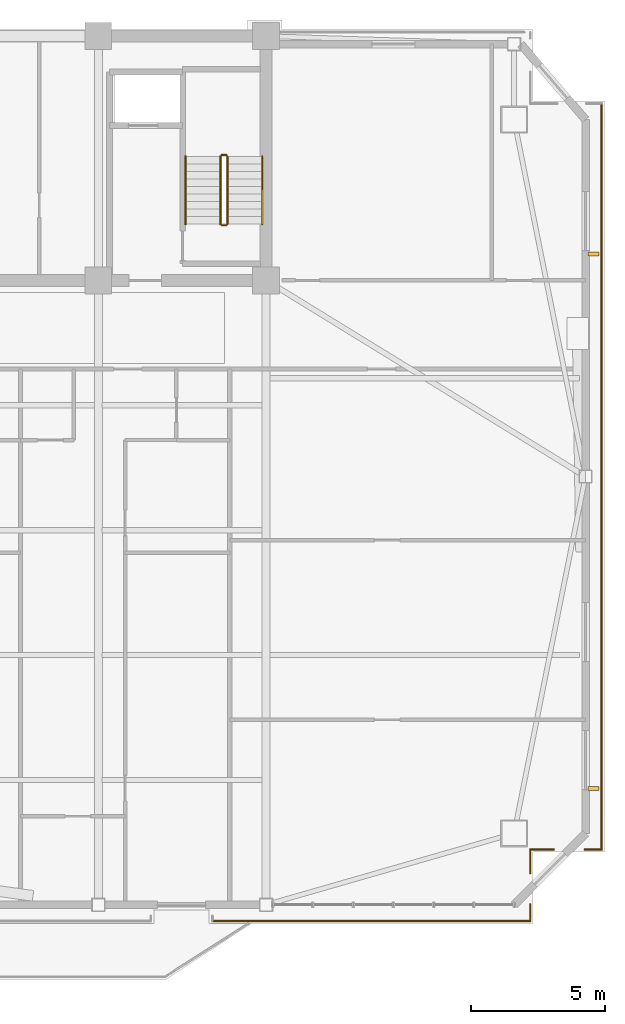
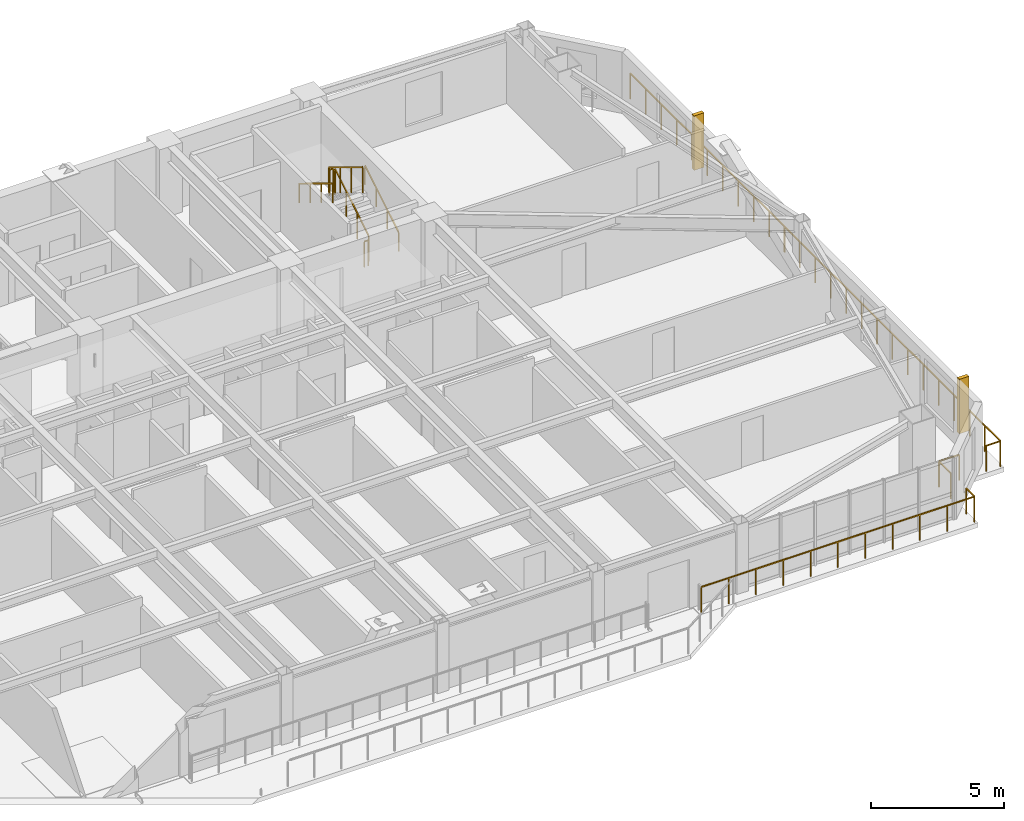
# One storey, part 17 of 19: 12 railings, 2 shading devices.
"""IFC4 building model written with IfcOpenShell, lengths in metres."""

from ifc_helpers import new_model, si_unit, direction, frame, origin, origin_2d, place, context, subcontext, project, spatial, rectangle, extrude, source, transform, mapped, material, type_object, element, save


model = new_model("IFC4")

# Units and contexts
model_context = context("Model", 3, precision=1e-05, world=origin(), true_north=direction((0.0, 1.0)))
body_context = subcontext(model_context, "Body", "Model", "MODEL_VIEW")
ifc_project = project(units=[si_unit("LENGTHUNIT", "METRE"), si_unit("AREAUNIT", "SQUARE_METRE"), si_unit("VOLUMEUNIT", "CUBIC_METRE"), si_unit("PLANEANGLEUNIT", "RADIAN"), si_unit("MASSUNIT", "GRAM", prefix="KILO")], contexts=[model_context])

# Site, building, storey
site_placement = place(None, origin())
site = spatial("IfcSite", under=ifc_project, at=site_placement, CompositionType="ELEMENT")
building_placement = place(site_placement, origin())
building = spatial("IfcBuilding", under=site, at=building_placement, Name="Giltprow Tower", CompositionType="ELEMENT")
storey_placement = place(building_placement, frame((0.0, 0.0, 241.699951171875)))
storey = spatial("IfcBuildingStorey", under=building, at=storey_placement, Name="L61", CompositionType="ELEMENT", Elevation=241.699951171875)

# Railings
ifc_material = material(Name="Anodized bronze", Category="metal")
railing_type_1 = type_object("IfcRailingType", Name="RAIL-BALC-GUARD-1200", PredefinedType="BALUSTRADE", material=ifc_material)
railing_1_placement = place(storey_placement, frame((63.052001953125, 44.0390625, 0.0)))
element("IfcRailing", 1, at=railing_1_placement, inside=storey, type_object=railing_type_1, Name="L61 Corner Apron Edge Balustrade 1", PredefinedType="BALUSTRADE", context=body_context, shape_type="SweptSolid", body=[
    extrude(rectangle(XDim=0.048095703125, YDim=0.048095703125, at=origin_2d()), frame((0.0, 0.0, 1.17578125), z_axis=(0.0, -1.0, 0.0), x_axis=(1.0, 0.0, 0.0)), (0.0, 0.0, 1.0), 27.796142578125),
    extrude(rectangle(XDim=0.0419921875, YDim=0.0419921875, at=origin_2d()), origin(), (0.0, 0.0, 1.0), 1.15185546875),
    extrude(rectangle(XDim=0.0419921875, YDim=0.0419921875, at=origin_2d()), frame((0.0, -1.158203125, 0.0)), (0.0, 0.0, 1.0), 1.15185546875),
    extrude(rectangle(XDim=0.0419921875, YDim=0.0419921875, at=origin_2d()), frame((0.0, -2.31640625, 0.0)), (0.0, 0.0, 1.0), 1.15185546875),
    extrude(rectangle(XDim=0.0419921875, YDim=0.0419921875, at=origin_2d()), frame((0.0, -3.474609375, 0.0)), (0.0, 0.0, 1.0), 1.15185546875),
    extrude(rectangle(XDim=0.0419921875, YDim=0.0419921875, at=origin_2d()), frame((0.0, -4.6328125, 0.0)), (0.0, 0.0, 1.0), 1.15185546875),
    extrude(rectangle(XDim=0.0419921875, YDim=0.0419921875, at=origin_2d()), frame((0.0, -5.790771484375, 0.0)), (0.0, 0.0, 1.0), 1.15185546875),
    extrude(rectangle(XDim=0.0419921875, YDim=0.0419921875, at=origin_2d()), frame((0.0, -6.948974609375, 0.0)), (0.0, 0.0, 1.0), 1.15185546875),
    extrude(rectangle(XDim=0.0419921875, YDim=0.0419921875, at=origin_2d()), frame((0.0, -8.107177734375, 0.0)), (0.0, 0.0, 1.0), 1.15185546875),
    extrude(rectangle(XDim=0.0419921875, YDim=0.0419921875, at=origin_2d()), frame((0.0, -9.265380859375, 0.0)), (0.0, 0.0, 1.0), 1.15185546875),
    extrude(rectangle(XDim=0.0419921875, YDim=0.0419921875, at=origin_2d()), frame((0.0, -10.423583984375, 0.0)), (0.0, 0.0, 1.0), 1.15185546875),
    extrude(rectangle(XDim=0.0419921875, YDim=0.0419921875, at=origin_2d()), frame((0.0, -11.581787109375, 0.0)), (0.0, 0.0, 1.0), 1.15185546875),
    extrude(rectangle(XDim=0.0419921875, YDim=0.0419921875, at=origin_2d()), frame((0.0, -12.739990234375, 0.0)), (0.0, 0.0, 1.0), 1.15185546875),
    extrude(rectangle(XDim=0.0419921875, YDim=0.0419921875, at=origin_2d()), frame((0.0, -13.89794921875, 0.0)), (0.0, 0.0, 1.0), 1.15185546875),
    extrude(rectangle(XDim=0.0419921875, YDim=0.0419921875, at=origin_2d()), frame((0.0, -15.05615234375, 0.0)), (0.0, 0.0, 1.0), 1.15185546875),
    extrude(rectangle(XDim=0.0419921875, YDim=0.0419921875, at=origin_2d()), frame((0.0, -16.21435546875, 0.0)), (0.0, 0.0, 1.0), 1.15185546875),
    extrude(rectangle(XDim=0.0419921875, YDim=0.0419921875, at=origin_2d()), frame((0.0, -17.37255859375, 0.0)), (0.0, 0.0, 1.0), 1.15185546875),
    extrude(rectangle(XDim=0.0419921875, YDim=0.0419921875, at=origin_2d()), frame((0.0, -18.53076171875, 0.0)), (0.0, 0.0, 1.0), 1.15185546875),
    extrude(rectangle(XDim=0.0419921875, YDim=0.0419921875, at=origin_2d()), frame((0.0, -19.68896484375, 0.0)), (0.0, 0.0, 1.0), 1.15185546875),
    extrude(rectangle(XDim=0.0419921875, YDim=0.0419921875, at=origin_2d()), frame((0.0, -20.84716796875, 0.0)), (0.0, 0.0, 1.0), 1.15185546875),
    extrude(rectangle(XDim=0.0419921875, YDim=0.0419921875, at=origin_2d()), frame((0.0, -22.00537109375, 0.0)), (0.0, 0.0, 1.0), 1.15185546875),
    extrude(rectangle(XDim=0.0419921875, YDim=0.0419921875, at=origin_2d()), frame((0.0, -23.16357421875, 0.0)), (0.0, 0.0, 1.0), 1.15185546875),
    extrude(rectangle(XDim=0.0419921875, YDim=0.0419921875, at=origin_2d()), frame((0.0, -24.321533203125, 0.0)), (0.0, 0.0, 1.0), 1.15185546875),
    extrude(rectangle(XDim=0.0419921875, YDim=0.0419921875, at=origin_2d()), frame((0.0, -25.479736328125, 0.0)), (0.0, 0.0, 1.0), 1.15185546875),
    extrude(rectangle(XDim=0.0419921875, YDim=0.0419921875, at=origin_2d()), frame((0.0, -26.637939453125, 0.0)), (0.0, 0.0, 1.0), 1.15185546875),
    extrude(rectangle(XDim=0.0419921875, YDim=0.0419921875, at=origin_2d()), frame((0.0, -27.796142578125, 0.0)), (0.0, 0.0, 1.0), 1.15185546875),
])
railing_2_placement = place(storey_placement, frame((63.052001953125, 16.242919921875, 0.0)))
element("IfcRailing", 2, at=railing_2_placement, inside=storey, type_object=railing_type_1, Name="L61 Corner Apron Edge Balustrade 2", PredefinedType="BALUSTRADE", context=body_context, shape_type="SweptSolid", body=[
    extrude(rectangle(XDim=0.048095703125, YDim=0.048095703125, at=origin_2d()), frame((0.0, 0.0, 1.17578125), z_axis=(-1.0, 0.0, 0.0), x_axis=(0.0, -1.0, 0.0)), (0.0, 0.0, 1.0), 0.6201171875),
    extrude(rectangle(XDim=0.0419921875, YDim=0.0419921875, at=origin_2d()), origin(), (0.0, 0.0, 1.0), 1.15185546875),
    extrude(rectangle(XDim=0.0419921875, YDim=0.0419921875, at=origin_2d()), frame((-0.6201171875, 0.0, 0.0)), (0.0, 0.0, 1.0), 1.15185546875),
])
railing_3_placement = place(storey_placement, frame((61.27197265625, 16.242919921875, 0.0)))
element("IfcRailing", 3, at=railing_3_placement, inside=storey, type_object=railing_type_1, Name="L61 Corner Apron Edge Balustrade 3", PredefinedType="BALUSTRADE", context=body_context, shape_type="SweptSolid", body=[
    extrude(rectangle(XDim=0.048095703125, YDim=0.048095703125, at=origin_2d()), frame((0.0, 0.0, 1.17578125), z_axis=(-1.0, 0.0, 0.0), x_axis=(0.0, -1.0, 0.0)), (0.0, 0.0, 1.0), 0.880859375),
    extrude(rectangle(XDim=0.0419921875, YDim=0.0419921875, at=origin_2d()), origin(), (0.0, 0.0, 1.0), 1.15185546875),
    extrude(rectangle(XDim=0.0419921875, YDim=0.0419921875, at=origin_2d()), frame((-0.880859375, 0.0, 0.0)), (0.0, 0.0, 1.0), 1.15185546875),
])
railing_4_placement = place(storey_placement, frame((60.39111328125, 16.242919921875, 0.0)))
element("IfcRailing", 4, at=railing_4_placement, inside=storey, type_object=railing_type_1, Name="L61 Corner Apron Edge Balustrade 4", PredefinedType="BALUSTRADE", context=body_context, shape_type="SweptSolid", body=[
    extrude(rectangle(XDim=0.048095703125, YDim=0.048095703125, at=origin_2d()), frame((0.0, 0.0, 1.17578125), z_axis=(0.0, -1.0, 0.0), x_axis=(1.0, 0.0, 0.0)), (0.0, 0.0, 1.0), 0.880859375),
    extrude(rectangle(XDim=0.0419921875, YDim=0.0419921875, at=origin_2d()), origin(), (0.0, 0.0, 1.0), 1.15185546875),
    extrude(rectangle(XDim=0.0419921875, YDim=0.0419921875, at=origin_2d()), frame((0.0, -0.880859375, 0.0)), (0.0, 0.0, 1.0), 1.15185546875),
])
railing_5_placement = place(storey_placement, frame((60.39111328125, 14.201904296875, 0.0)))
element("IfcRailing", 5, at=railing_5_placement, inside=storey, type_object=railing_type_1, Name="L61 Corner Apron Edge Balustrade 5", PredefinedType="BALUSTRADE", context=body_context, shape_type="SweptSolid", body=[
    extrude(rectangle(XDim=0.048095703125, YDim=0.048095703125, at=origin_2d()), frame((0.0, 0.0, 1.17578125), z_axis=(0.0, -1.0, 0.0), x_axis=(1.0, 0.0, 0.0)), (0.0, 0.0, 1.0), 0.619873046875),
    extrude(rectangle(XDim=0.0419921875, YDim=0.0419921875, at=origin_2d()), origin(), (0.0, 0.0, 1.0), 1.15185546875),
    extrude(rectangle(XDim=0.0419921875, YDim=0.0419921875, at=origin_2d()), frame((0.0, -0.619873046875, 0.0)), (0.0, 0.0, 1.0), 1.15185546875),
])
railing_6_placement = place(storey_placement, frame((60.39111328125, 13.58203125, 0.0)))
element("IfcRailing", 6, at=railing_6_placement, inside=storey, type_object=railing_type_1, Name="L61 Corner Apron Edge Balustrade 6", PredefinedType="BALUSTRADE", context=body_context, shape_type="SweptSolid", body=[
    extrude(rectangle(XDim=0.048095703125, YDim=0.048095703125, at=origin_2d()), frame((0.0, 0.0, 1.17578125), z_axis=(-1.0, 0.0, 0.0), x_axis=(0.0, -1.0, 0.0)), (0.0, 0.0, 1.0), 11.841064453125),
    extrude(rectangle(XDim=0.0419921875, YDim=0.0419921875, at=origin_2d()), origin(), (0.0, 0.0, 1.0), 1.15185546875),
    extrude(rectangle(XDim=0.0419921875, YDim=0.0419921875, at=origin_2d()), frame((-1.18408203125, 0.0, 0.0)), (0.0, 0.0, 1.0), 1.15185546875),
    extrude(rectangle(XDim=0.0419921875, YDim=0.0419921875, at=origin_2d()), frame((-2.3681640625, 0.0, 0.0)), (0.0, 0.0, 1.0), 1.15185546875),
    extrude(rectangle(XDim=0.0419921875, YDim=0.0419921875, at=origin_2d()), frame((-3.55224609375, 0.0, 0.0)), (0.0, 0.0, 1.0), 1.15185546875),
    extrude(rectangle(XDim=0.0419921875, YDim=0.0419921875, at=origin_2d()), frame((-4.736328125, 0.0, 0.0)), (0.0, 0.0, 1.0), 1.15185546875),
    extrude(rectangle(XDim=0.0419921875, YDim=0.0419921875, at=origin_2d()), frame((-5.92041015625, 0.0, 0.0)), (0.0, 0.0, 1.0), 1.15185546875),
    extrude(rectangle(XDim=0.0419921875, YDim=0.0419921875, at=origin_2d()), frame((-7.104736328125, 0.0, 0.0)), (0.0, 0.0, 1.0), 1.15185546875),
    extrude(rectangle(XDim=0.0419921875, YDim=0.0419921875, at=origin_2d()), frame((-8.288818359375, 0.0, 0.0)), (0.0, 0.0, 1.0), 1.15185546875),
    extrude(rectangle(XDim=0.0419921875, YDim=0.0419921875, at=origin_2d()), frame((-9.472900390625, 0.0, 0.0)), (0.0, 0.0, 1.0), 1.15185546875),
    extrude(rectangle(XDim=0.0419921875, YDim=0.0419921875, at=origin_2d()), frame((-10.656982421875, 0.0, 0.0)), (0.0, 0.0, 1.0), 1.15185546875),
    extrude(rectangle(XDim=0.0419921875, YDim=0.0419921875, at=origin_2d()), frame((-11.841064453125, 0.0, 0.0)), (0.0, 0.0, 1.0), 1.15185546875),
])
railing_type_2 = type_object("IfcRailingType", Name="RAIL-STAIR-GUARD-1200", PredefinedType="GUARDRAIL", material=ifc_material)
railing_7_placement = place(storey_placement, frame((49.110107421875, 39.550048828125, 0.170166015625)))
element("IfcRailing", 7, at=railing_7_placement, inside=storey, type_object=railing_type_2, Name="L61 ST-3 stair guard 1", PredefinedType="GUARDRAIL", context=body_context, shape_type="SweptSolid", body=[
    extrude(rectangle(XDim=0.048095703125, YDim=0.048095703125, at=origin_2d()), frame((0.0, 0.0, 1.17578125), z_axis=(0.0, 0.854821627497, 0.518921945155), x_axis=(-1.0, 0.0, 0.0)), (0.0, 0.0, 1.0), 2.947998046875),
    extrude(rectangle(XDim=0.0419921875, YDim=0.0419921875, at=origin_2d()), origin(), (0.0, 0.0, 1.0), 1.15185546875),
    extrude(rectangle(XDim=0.0419921875, YDim=0.0419921875, at=origin_2d()), frame((0.0, 0.840087890625, 0.510009765625)), (0.0, 0.0, 1.0), 1.15185546875),
    extrude(rectangle(XDim=0.0419921875, YDim=0.0419921875, at=origin_2d()), frame((0.0, 1.679931640625, 1.019775390625)), (0.0, 0.0, 1.0), 1.15185546875),
    extrude(rectangle(XDim=0.0419921875, YDim=0.0419921875, at=origin_2d()), frame((0.0, 2.52001953125, 1.52978515625)), (0.0, 0.0, 1.0), 1.15185546875),
])
railing_8_placement = place(storey_placement, frame((49.06005859375, 42.1201171875, 1.699951171875)))
element("IfcRailing", 8, at=railing_8_placement, inside=storey, type_object=railing_type_2, Name="L61 ST-3 stair guard 2", PredefinedType="GUARDRAIL", context=body_context, shape_type="SweptSolid", body=[
    extrude(rectangle(XDim=0.048095703125, YDim=0.048095703125, at=origin_2d()), frame((0.0, 0.0, 1.17578125), z_axis=(-1.0, 0.0, 0.0), x_axis=(0.0, -1.0, 0.0)), (0.0, 0.0, 1.0), 0.16015625),
    extrude(rectangle(XDim=0.0419921875, YDim=0.0419921875, at=origin_2d()), origin(), (0.0, 0.0, 1.0), 1.15185546875),
    extrude(rectangle(XDim=0.0419921875, YDim=0.0419921875, at=origin_2d()), frame((-0.16015625, 0.0, 0.0)), (0.0, 0.0, 1.0), 1.15185546875),
])
railing_9_placement = place(storey_placement, frame((48.85009765625, 42.070068359375, 1.8701171875)))
element("IfcRailing", 9, at=railing_9_placement, inside=storey, type_object=railing_type_2, Name="L61 ST-3 stair guard 3", PredefinedType="GUARDRAIL", context=body_context, shape_type="SweptSolid", body=[
    extrude(rectangle(XDim=0.048095703125, YDim=0.048095703125, at=origin_2d()), frame((0.0, 0.0, 1.17578125), z_axis=(0.0, -0.85478489116, 0.518982456201), x_axis=(1.0, 0.0, 0.0)), (0.0, 0.0, 1.0), 2.9482421875),
    extrude(rectangle(XDim=0.0419921875, YDim=0.0419921875, at=origin_2d()), origin(), (0.0, 0.0, 1.0), 1.15185546875),
    extrude(rectangle(XDim=0.0419921875, YDim=0.0419921875, at=origin_2d()), frame((0.0, -0.840087890625, 0.510009765625)), (0.0, 0.0, 1.0), 1.15185546875),
    extrude(rectangle(XDim=0.0419921875, YDim=0.0419921875, at=origin_2d()), frame((0.0, -1.679931640625, 1.02001953125)), (0.0, 0.0, 1.0), 1.15185546875),
    extrude(rectangle(XDim=0.0419921875, YDim=0.0419921875, at=origin_2d()), frame((0.0, -2.52001953125, 1.530029296875)), (0.0, 0.0, 1.0), 1.15185546875),
])
railing_10_placement = place(storey_placement, frame((49.06005859375, 39.5, 0.0)))
element("IfcRailing", 10, at=railing_10_placement, inside=storey, type_object=railing_type_2, Name="L61 ST-3 stair guard 4", PredefinedType="GUARDRAIL", context=body_context, shape_type="SweptSolid", body=[
    extrude(rectangle(XDim=0.048095703125, YDim=0.048095703125, at=origin_2d()), frame((0.0, 0.0, 1.17578125), z_axis=(-1.0, 0.0, 0.0), x_axis=(0.0, -1.0, 0.0)), (0.0, 0.0, 1.0), 0.16015625),
    extrude(rectangle(XDim=0.0419921875, YDim=0.0419921875, at=origin_2d()), origin(), (0.0, 0.0, 1.0), 1.15185546875),
    extrude(rectangle(XDim=0.0419921875, YDim=0.0419921875, at=origin_2d()), frame((-0.16015625, 0.0, 0.0)), (0.0, 0.0, 1.0), 1.15185546875),
])
railing_type_3 = type_object("IfcRailingType", Name="RAIL-STAIR-HAND-900", PredefinedType="HANDRAIL", material=ifc_material)
railing_11_placement = place(storey_placement, frame((50.409912109375, 39.550048828125, 0.170166015625)))
element("IfcRailing", 11, at=railing_11_placement, inside=storey, type_object=railing_type_3, Name="L61 ST-3 stair handrail 1", PredefinedType="HANDRAIL", context=body_context, shape_type="SweptSolid", body=[
    extrude(rectangle(XDim=0.048095703125, YDim=0.048095703125, at=origin_2d()), frame((0.0, 0.0, 0.8759765625), z_axis=(0.0, 0.854821627497, 0.518921945155), x_axis=(-1.0, 0.0, 0.0)), (0.0, 0.0, 1.0), 2.947998046875),
    extrude(rectangle(XDim=0.0419921875, YDim=0.0419921875, at=origin_2d()), origin(), (0.0, 0.0, 1.0), 0.851806640625),
    extrude(rectangle(XDim=0.0419921875, YDim=0.0419921875, at=origin_2d()), frame((0.0, 0.840087890625, 0.510009765625)), (0.0, 0.0, 1.0), 0.851806640625),
    extrude(rectangle(XDim=0.0419921875, YDim=0.0419921875, at=origin_2d()), frame((0.0, 1.679931640625, 1.019775390625)), (0.0, 0.0, 1.0), 0.851806640625),
    extrude(rectangle(XDim=0.0419921875, YDim=0.0419921875, at=origin_2d()), frame((0.0, 2.52001953125, 1.52978515625)), (0.0, 0.0, 1.0), 0.851806640625),
])
railing_12_placement = place(storey_placement, frame((47.550048828125, 42.070068359375, 1.8701171875)))
element("IfcRailing", 12, at=railing_12_placement, inside=storey, type_object=railing_type_3, Name="L61 ST-3 stair handrail 2", PredefinedType="HANDRAIL", context=body_context, shape_type="SweptSolid", body=[
    extrude(rectangle(XDim=0.048095703125, YDim=0.048095703125, at=origin_2d()), frame((0.0, 0.0, 0.8759765625), z_axis=(0.0, -0.85478489116, 0.518982456201), x_axis=(1.0, 0.0, 0.0)), (0.0, 0.0, 1.0), 2.9482421875),
    extrude(rectangle(XDim=0.0419921875, YDim=0.0419921875, at=origin_2d()), origin(), (0.0, 0.0, 1.0), 0.851806640625),
    extrude(rectangle(XDim=0.0419921875, YDim=0.0419921875, at=origin_2d()), frame((0.0, -0.840087890625, 0.510009765625)), (0.0, 0.0, 1.0), 0.851806640625),
    extrude(rectangle(XDim=0.0419921875, YDim=0.0419921875, at=origin_2d()), frame((0.0, -1.679931640625, 1.02001953125)), (0.0, 0.0, 1.0), 0.851806640625),
    extrude(rectangle(XDim=0.0419921875, YDim=0.0419921875, at=origin_2d()), frame((0.0, -2.52001953125, 1.530029296875)), (0.0, 0.0, 1.0), 0.851806640625),
])

# Shading devices
shading_device_type = type_object("IfcShadingDeviceType", Name="SHD-FIN-420", PredefinedType="USERDEFINED", material=ifc_material)
shared_shape = source(origin(), body_context, "Body", "SweptSolid", [
    extrude(rectangle(XDim=0.419921875, YDim=0.159912109375, at=origin_2d()), origin(), (0.0, 0.0, 1.0), 2.5),
])
for number, where, z_axis, x_axis, name in (
    (13, (62.751953125, 18.51806640625, 0.35009765625), (0.0, 0.0, 1.0), (1.0, 0.0, 0.0), "L61 E Bronze Vertical Fin 1-1"),
    (14, (62.751953125, 38.43408203125, 0.35009765625), (0.0, 0.0, 1.0), (1.0, 0.0, 0.0), "L61 E Bronze Vertical Fin 2-1"),
):
    element("IfcShadingDevice", number, at=place(storey_placement, frame(where, z_axis=z_axis, x_axis=x_axis)), inside=storey, type_object=shading_device_type, Name=name, ObjectType="FIN", PredefinedType="USERDEFINED", context=body_context, shape_type="MappedRepresentation", body=[
        mapped(shared_shape, transform((0.0, 0.0, 0.0), x_axis=(1.0, 0.0, 0.0), y_axis=(0.0, 1.0, 0.0), z_axis=(0.0, 0.0, 1.0), scale=1.0)),
    ])

save(model, "model.ifc")
